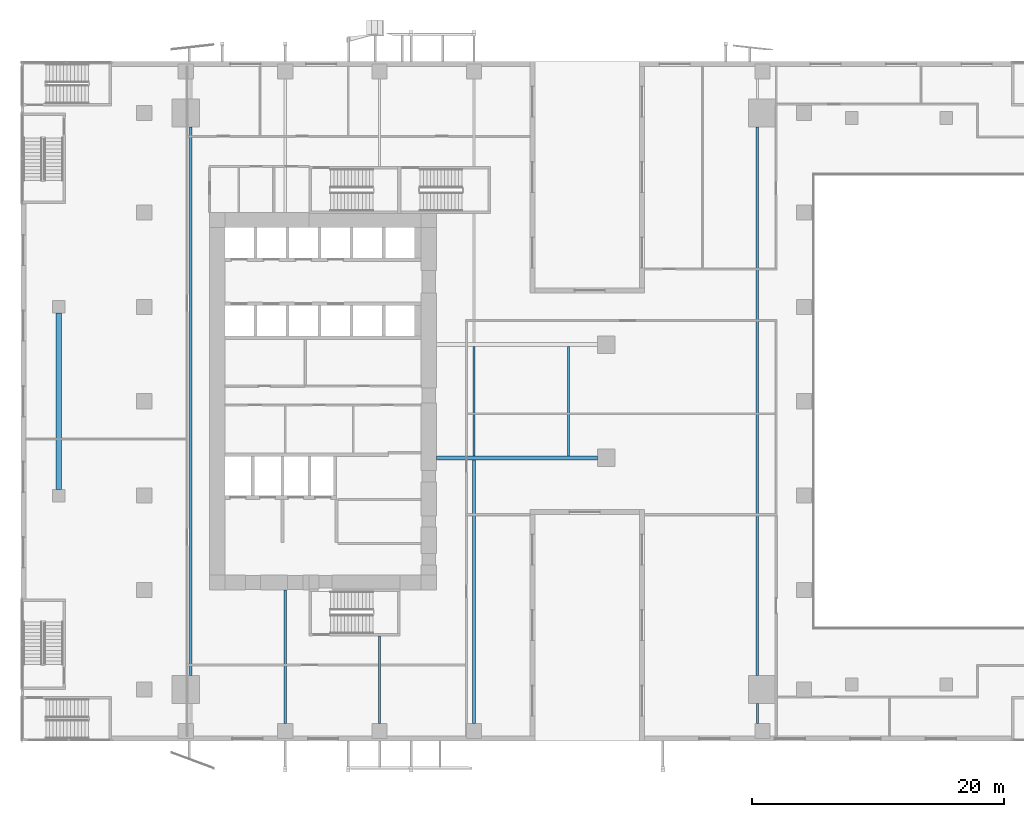
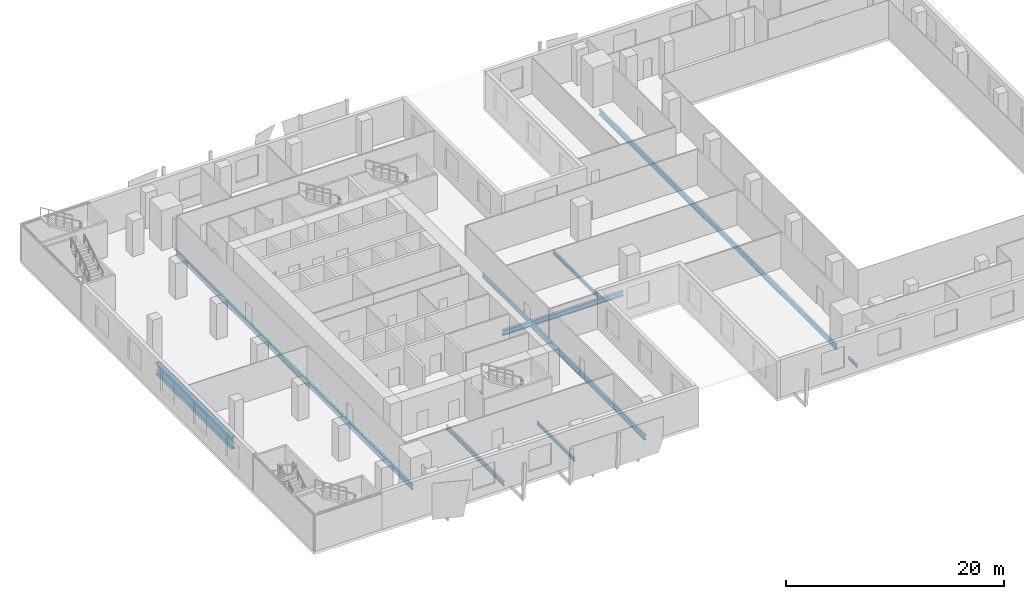
# One storey, part 3 of 21: 10 beams.
"""IFC4 building model written with IfcOpenShell, lengths in metres."""

from ifc_helpers import new_model, si_unit, direction, frame, origin, origin_2d, place, context, subcontext, project, spatial, i_section, extrude, source, transform, mapped, material, material_profile, profile_set, type_object, element, save


model = new_model("IFC4")

# Units and contexts
model_context = context("Model", 3, precision=1e-05, world=origin(), true_north=direction((0.0, 1.0)))
body_context = subcontext(model_context, "Body", "Model", "MODEL_VIEW")
ifc_project = project(units=[si_unit("LENGTHUNIT", "METRE"), si_unit("AREAUNIT", "SQUARE_METRE"), si_unit("VOLUMEUNIT", "CUBIC_METRE"), si_unit("PLANEANGLEUNIT", "RADIAN"), si_unit("MASSUNIT", "GRAM", prefix="KILO")], contexts=[model_context])

# Site, building, storey
site_placement = place(None, origin())
site = spatial("IfcSite", under=ifc_project, at=site_placement, CompositionType="ELEMENT")
building_placement = place(site_placement, origin())
building = spatial("IfcBuilding", under=site, at=building_placement, Name="Khomas Fold Tower", CompositionType="ELEMENT")
storey_placement = place(building_placement, frame((0.0, 0.0, 28.5)))
storey = spatial("IfcBuildingStorey", under=building, at=storey_placement, Name="L05", CompositionType="ELEMENT", Elevation=28.5)

# Beams
ifc_material_1 = material(Name="Steel S355", Category="steel")
ifc_material_profile_1 = material_profile(ifc_material_1, i_section(OverallWidth=0.300048828125, OverallDepth=0.550048828125, WebThickness=0.014892578125, FlangeThickness=0.029052734375, at=origin_2d()), Name="HE 550 B")
ifc_profile_set_1 = profile_set([ifc_material_profile_1], Name="Steel S355")
beam_type_1 = type_object("IfcBeamType", Name="HE 550 B beam GB4", PredefinedType="BEAM", material=ifc_profile_set_1)
shared_shape_1 = source(origin(), body_context, "Body", "SweptSolid", [
    extrude(i_section(OverallWidth=0.300048828125, OverallDepth=0.550048828125, WebThickness=0.014892578125, FlangeThickness=0.029052734375, at=origin_2d()), origin(), (0.0, 0.0, 1.0), 12.800048828125),
])
beam_1_placement = place(storey_placement, frame((24.0, 22.5, -0.574951171875), z_axis=(1.0, 0.0, 0.0), x_axis=(0.0, 1.0, 0.0)))
element("IfcBeam", 1, at=beam_1_placement, inside=storey, type_object=beam_type_1, Name="GB4", PredefinedType="BEAM", context=body_context, shape_type="MappedRepresentation", body=[
    mapped(shared_shape_1, transform((0.0, 0.0, 0.0))),
])
ifc_material_2 = material(Name="Steel S355", Category="steel")
ifc_material_profile_2 = material_profile(ifc_material_2, i_section(OverallWidth=0.159912109375, OverallDepth=0.330078125, WebThickness=0.007568359375, FlangeThickness=0.011474609375, at=origin_2d()), Name="IPE 330")
ifc_profile_set_2 = profile_set([ifc_material_profile_2], Name="Steel S355")
beam_type_2 = type_object("IfcBeamType", Name="IPE 330 beam JB1", PredefinedType="BEAM", material=ifc_profile_set_2)
shared_shape_2 = source(origin(), body_context, "Body", "SweptSolid", [
    extrude(i_section(OverallWidth=0.159912109375, OverallDepth=0.330078125, WebThickness=0.007568359375, FlangeThickness=0.011474609375, at=origin_2d()), origin(), (0.0, 0.0, 1.0), 1.60009765625),
])
beam_2_placement = place(storey_placement, frame((49.5, 1.39990234375, -0.465087890625), z_axis=(0.0, 1.0, 0.0), x_axis=(-1.0, 0.0, 0.0)))
element("IfcBeam", 2, at=beam_2_placement, inside=storey, type_object=beam_type_2, Name="JB1", PredefinedType="BEAM", context=body_context, shape_type="MappedRepresentation", body=[
    mapped(shared_shape_2, transform((0.0, 0.0, 0.0))),
])
ifc_material_3 = material(Name="Steel S355", Category="steel")
ifc_material_profile_3 = material_profile(ifc_material_3, i_section(OverallWidth=0.219970703125, OverallDepth=0.60009765625, WebThickness=0.011962890625, FlangeThickness=0.01904296875, at=origin_2d()), Name="IPE 600")
ifc_profile_set_3 = profile_set([ifc_material_profile_3], Name="Steel S355")
beam_type_3 = type_object("IfcBeamType", Name="IPE 600 beam JB7", PredefinedType="BEAM", material=ifc_profile_set_3)
shared_shape_3 = source(origin(), body_context, "Body", "SweptSolid", [
    extrude(i_section(OverallWidth=0.219970703125, OverallDepth=0.60009765625, WebThickness=0.011962890625, FlangeThickness=0.01904296875, at=origin_2d()), origin(), (0.0, 0.0, 1.0), 43.60009765625),
])
for number, where, z_axis, x_axis, name in (
    (3, (4.5, 5.199951171875, -0.60009765625), (0.0, 1.0, 0.0), (-1.0, 0.0, 0.0), "JB7"),
    (4, (49.5, 5.199951171875, -0.60009765625), (0.0, 1.0, 0.0), (-1.0, 0.0, 0.0), "JB7"),
):
    element("IfcBeam", number, at=place(storey_placement, frame(where, z_axis=z_axis, x_axis=x_axis)), inside=storey, type_object=beam_type_3, Name=name, PredefinedType="BEAM", context=body_context, shape_type="MappedRepresentation", body=[
        mapped(shared_shape_3, transform((0.0, 0.0, 0.0))),
    ])
ifc_material_4 = material(Name="Steel S355", Category="steel")
ifc_material_profile_4 = material_profile(ifc_material_4, i_section(OverallWidth=0.199951171875, OverallDepth=0.5, WebThickness=0.01025390625, FlangeThickness=0.01611328125, at=origin_2d()), Name="IPE 500")
ifc_profile_set_4 = profile_set([ifc_material_profile_4], Name="Steel S355")
beam_type_4 = type_object("IfcBeamType", Name="IPE 500 beam JB5", PredefinedType="BEAM", material=ifc_profile_set_4)
shared_shape_4 = source(origin(), body_context, "Body", "SweptSolid", [
    extrude(i_section(OverallWidth=0.199951171875, OverallDepth=0.5, WebThickness=0.01025390625, FlangeThickness=0.01611328125, at=origin_2d()), origin(), (0.0, 0.0, 1.0), 10.60009765625),
])
beam_3_placement = place(storey_placement, frame((12.0, 1.39990234375, -0.550048828125), z_axis=(0.0, 1.0, 0.0), x_axis=(-1.0, 0.0, 0.0)))
element("IfcBeam", 5, at=beam_3_placement, inside=storey, type_object=beam_type_4, Name="JB5", PredefinedType="BEAM", context=body_context, shape_type="MappedRepresentation", body=[
    mapped(shared_shape_4, transform((0.0, 0.0, 0.0))),
])
ifc_material_5 = material(Name="Steel S355", Category="steel")
ifc_material_profile_5 = material_profile(ifc_material_5, i_section(OverallWidth=0.169921875, OverallDepth=0.360107421875, WebThickness=0.008056640625, FlangeThickness=0.0126953125, at=origin_2d()), Name="IPE 360")
ifc_profile_set_5 = profile_set([ifc_material_profile_5], Name="Steel S355")
beam_type_5 = type_object("IfcBeamType", Name="IPE 360 beam JB2", PredefinedType="BEAM", material=ifc_profile_set_5)
shared_shape_5 = source(origin(), body_context, "Body", "SweptSolid", [
    extrude(i_section(OverallWidth=0.169921875, OverallDepth=0.360107421875, WebThickness=0.008056640625, FlangeThickness=0.0126953125, at=origin_2d()), origin(), (0.0, 0.0, 1.0), 6.9501953125),
])
beam_4_placement = place(storey_placement, frame((19.5, 1.39990234375, -0.47998046875), z_axis=(0.0, 1.0, 0.0), x_axis=(-1.0, 0.0, 0.0)))
element("IfcBeam", 6, at=beam_4_placement, inside=storey, type_object=beam_type_5, Name="JB2", PredefinedType="BEAM", context=body_context, shape_type="MappedRepresentation", body=[
    mapped(shared_shape_5, transform((0.0, 0.0, 0.0))),
])
shared_shape_6 = source(origin(), body_context, "Body", "SweptSolid", [
    extrude(i_section(OverallWidth=0.219970703125, OverallDepth=0.60009765625, WebThickness=0.011962890625, FlangeThickness=0.01904296875, at=origin_2d()), origin(), (0.0, 0.0, 1.0), 20.9501953125),
])
beam_5_placement = place(storey_placement, frame((27.0, 1.39990234375, -0.60009765625), z_axis=(0.0, 1.0, 0.0), x_axis=(-1.0, 0.0, 0.0)))
element("IfcBeam", 7, at=beam_5_placement, inside=storey, type_object=beam_type_3, Name="JB7", PredefinedType="BEAM", context=body_context, shape_type="MappedRepresentation", body=[
    mapped(shared_shape_6, transform((0.0, 0.0, 0.0))),
])
ifc_material_6 = material(Name="Steel S355", Category="steel")
ifc_material_profile_6 = material_profile(ifc_material_6, i_section(OverallWidth=0.179931640625, OverallDepth=0.39990234375, WebThickness=0.008544921875, FlangeThickness=0.013427734375, at=origin_2d()), Name="IPE 400")
ifc_profile_set_6 = profile_set([ifc_material_profile_6], Name="Steel S355")
beam_type_6 = type_object("IfcBeamType", Name="IPE 400 beam JB3", PredefinedType="BEAM", material=ifc_profile_set_6)
shared_shape_7 = source(origin(), body_context, "Body", "SweptSolid", [
    extrude(i_section(OverallWidth=0.179931640625, OverallDepth=0.39990234375, WebThickness=0.008544921875, FlangeThickness=0.013427734375, at=origin_2d()), origin(), (0.0, 0.0, 1.0), 8.7001953125),
])
for number, where, z_axis, x_axis, name in (
    (8, (27.0, 22.64990234375, -0.5), (0.0, 1.0, 0.0), (-1.0, 0.0, 0.0), "JB3"),
    (9, (34.5, 22.64990234375, -0.5), (0.0, 1.0, 0.0), (-1.0, 0.0, 0.0), "JB3"),
):
    element("IfcBeam", number, at=place(storey_placement, frame(where, z_axis=z_axis, x_axis=x_axis)), inside=storey, type_object=beam_type_6, Name=name, PredefinedType="BEAM", context=body_context, shape_type="MappedRepresentation", body=[
        mapped(shared_shape_7, transform((0.0, 0.0, 0.0))),
    ])
ifc_material_7 = material(Name="Steel S460M", Category="steel")
ifc_material_profile_7 = material_profile(ifc_material_7, i_section(OverallWidth=0.449951171875, OverallDepth=1.300048828125, WebThickness=0.02490234375, FlangeThickness=0.050048828125, at=origin_2d()), Name="PG 1300x450")
ifc_profile_set_7 = profile_set([ifc_material_profile_7], Name="Steel S460M")
beam_type_7 = type_object("IfcBeamType", Name="PG 1300x450 beam TG2", PredefinedType="BEAM", material=ifc_profile_set_7)
shared_shape_8 = source(origin(), body_context, "Body", "SweptSolid", [
    extrude(i_section(OverallWidth=0.449951171875, OverallDepth=1.300048828125, WebThickness=0.02490234375, FlangeThickness=0.050048828125, at=origin_2d()), origin(), (0.0, 0.0, 1.0), 14.0),
])
beam_6_placement = place(storey_placement, frame((-6.0, 20.0, -0.949951171875), z_axis=(0.0, 1.0, 0.0), x_axis=(-1.0, 0.0, 0.0)))
element("IfcBeam", 10, at=beam_6_placement, inside=storey, type_object=beam_type_7, Name="TG2", PredefinedType="BEAM", context=body_context, shape_type="MappedRepresentation", body=[
    mapped(shared_shape_8, transform((0.0, 0.0, 0.0))),
])

save(model, "model.ifc")
